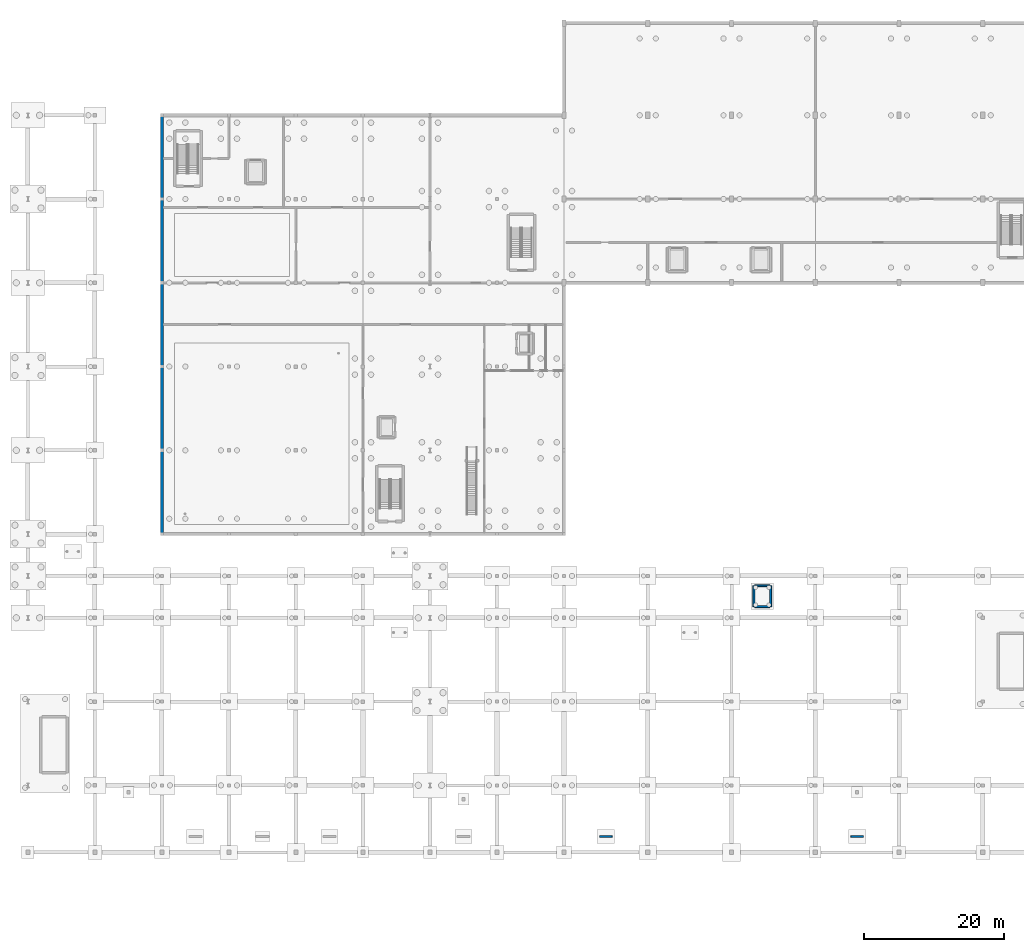
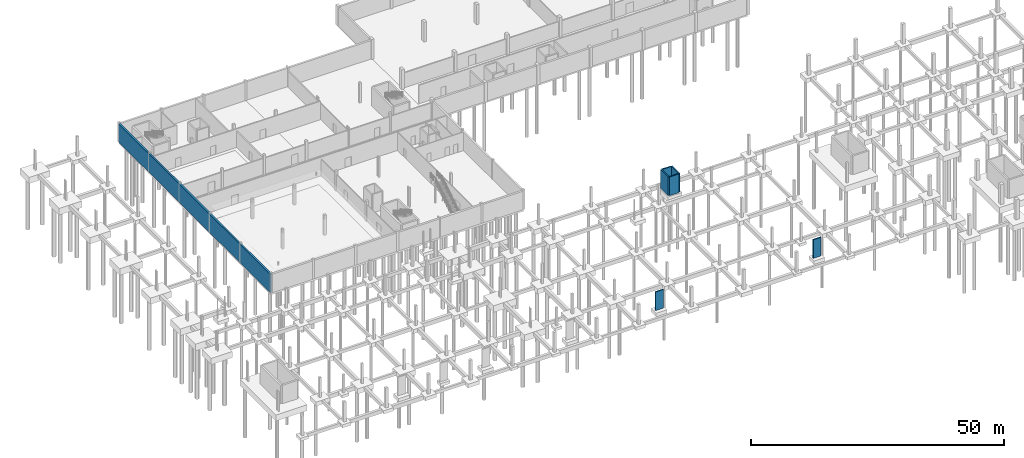
# One storey, part 23 of 31: 7 walls.
"""IFC4 building model written with IfcOpenShell, lengths in metres."""

from ifc_helpers import new_model, si_unit, direction, frame, frame_2d, origin, place, context, subcontext, project, spatial, rectangle, extrude, material, layer, layer_set, type_object, element, save


model = new_model("IFC4")

# Units and contexts
model_context = context("Model", 3, precision=1e-05, world=origin(), true_north=direction((0.0, 1.0)))
body_context = subcontext(model_context, "Body", "Model", "MODEL_VIEW")
ifc_project = project(units=[si_unit("LENGTHUNIT", "METRE"), si_unit("AREAUNIT", "SQUARE_METRE"), si_unit("VOLUMEUNIT", "CUBIC_METRE"), si_unit("PLANEANGLEUNIT", "RADIAN"), si_unit("MASSUNIT", "GRAM", prefix="KILO")], contexts=[model_context])

# Site, building, storey
site_placement = place(None, origin())
site = spatial("IfcSite", under=ifc_project, at=site_placement, CompositionType="ELEMENT")
building_placement = place(site_placement, origin())
building = spatial("IfcBuilding", under=site, at=building_placement, Name="Merenkruunu Market Hall", CompositionType="ELEMENT")
storey_placement = place(building_placement, frame((0.0, 0.0, -4.800048828125)))
storey = spatial("IfcBuildingStorey", under=building, at=storey_placement, Name="B1", CompositionType="ELEMENT", Elevation=-4.800048828125)

# Walls
ifc_material = material(Name="Concrete C35/45", Category="concrete")
ifc_layer_1 = layer(ifc_material, 0.39990234375)
ifc_layer_set_1 = layer_set([ifc_layer_1], Name="Concrete C35/45")
wall_type_1 = type_object("IfcWallType", Name="Basement Retaining Wall RW02", PredefinedType="USERDEFINED", material=ifc_layer_set_1)
wall_1_placement = place(storey_placement, frame((19.199951171875, 111.60009765625, 0.0), z_axis=(0.0, 0.0, 1.0), x_axis=(0.0, -1.0, 0.0)))
element("IfcWall", 1, at=wall_1_placement, inside=storey, type_object=wall_type_1, Name="WALL-B1-RW-08", ObjectType="RETAININGWALL", PredefinedType="USERDEFINED", context=body_context, shape_type="SweptSolid", body=[
    extrude(rectangle(XDim=60.0, YDim=0.39990234375, at=frame_2d((30.0, 0.0))), origin(), (0.0, 0.0, 1.0), 4.4599609375),
])
ifc_layer_2 = layer(ifc_material, 0.260009765625)
ifc_layer_set_2 = layer_set([ifc_layer_2], Name="Concrete C35/45")
wall_type_2 = type_object("IfcWallType", Name="Structural Shear Wall SW03", PredefinedType="SHEAR", material=ifc_layer_set_2)
wall_2_placement = place(storey_placement, frame((104.1298828125, 41.199951171875, 0.0), z_axis=(0.0, 0.0, 1.0), x_axis=(1.0, 0.0, 0.0)))
element("IfcWall", 2, at=wall_2_placement, inside=storey, type_object=wall_type_2, Name="WALL-LIFT-LP3-B1-S", PredefinedType="SHEAR", context=body_context, shape_type="SweptSolid", body=[
    extrude(rectangle(XDim=2.14013671875, YDim=0.260009765625, at=frame_2d((1.070068359375, 0.0))), origin(), (0.0, 0.0, 1.0), 4.5),
])
wall_3_placement = place(storey_placement, frame((106.39990234375, 41.199951171875, 0.0), z_axis=(0.0, 0.0, 1.0), x_axis=(0.0, 1.0, 0.0)))
element("IfcWall", 3, at=wall_3_placement, inside=storey, type_object=wall_type_2, Name="WALL-LIFT-LP3-B1-E", PredefinedType="SHEAR", context=body_context, shape_type="SweptSolid", body=[
    extrude(rectangle(XDim=3.0, YDim=0.260009765625, at=frame_2d((1.5, 0.0))), origin(), (0.0, 0.0, 1.0), 4.5),
])
wall_4_placement = place(storey_placement, frame((106.27001953125, 44.199951171875, 0.0), z_axis=(0.0, 0.0, 1.0), x_axis=(-1.0, 0.0, 0.0)))
element("IfcWall", 4, at=wall_4_placement, inside=storey, type_object=wall_type_2, Name="WALL-LIFT-LP3-B1-N", PredefinedType="SHEAR", context=body_context, shape_type="SweptSolid", body=[
    extrude(rectangle(XDim=2.14013671875, YDim=0.260009765625, at=frame_2d((1.070068359375, 0.0))), origin(), (0.0, 0.0, 1.0), 4.5),
])
wall_5_placement = place(storey_placement, frame((104.0, 44.199951171875, 0.0), z_axis=(0.0, 0.0, 1.0), x_axis=(0.0, -1.0, 0.0)))
element("IfcWall", 5, at=wall_5_placement, inside=storey, type_object=wall_type_2, Name="WALL-LIFT-LP3-B1-W", PredefinedType="SHEAR", context=body_context, shape_type="SweptSolid", body=[
    extrude(rectangle(XDim=3.0, YDim=0.260009765625, at=frame_2d((1.5, 0.0))), origin(), (0.0, 0.0, 1.0), 4.5),
])
for number, where, z_axis, x_axis, name in (
    (6, (81.89990234375, 8.27001953125, 0.0), (0.0, 0.0, 1.0), (1.0, 0.0, 0.0), "WALL-RMPABUT-05"),
    (7, (117.89990234375, 8.27001953125, 0.0), (0.0, 0.0, 1.0), (1.0, 0.0, 0.0), "WALL-RMPABUT-06"),
):
    element("IfcWall", number, at=place(storey_placement, frame(where, z_axis=z_axis, x_axis=x_axis)), inside=storey, type_object=wall_type_2, Name=name, PredefinedType="SHEAR", context=body_context, shape_type="SweptSolid", body=[
        extrude(rectangle(XDim=1.800048828125, YDim=0.260009765625, at=frame_2d((0.89990234375, 0.0))), origin(), (0.0, 0.0, 1.0), 4.5),
    ])

save(model, "model.ifc")
